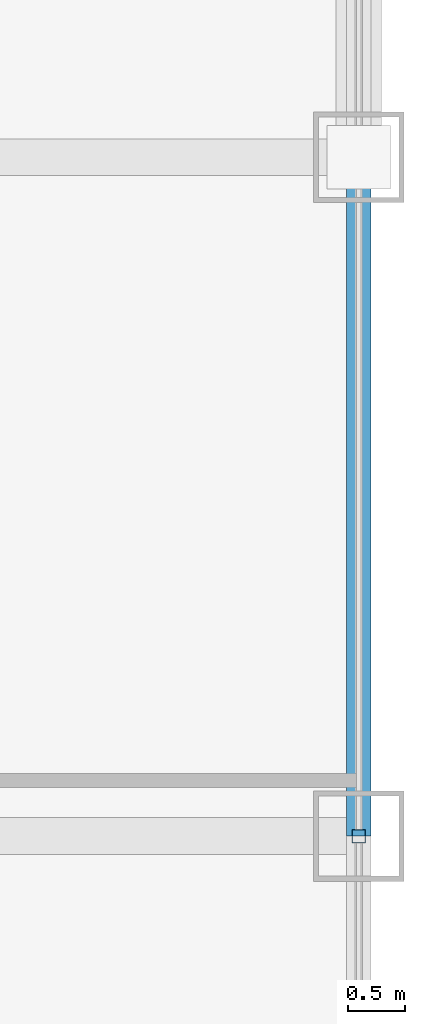
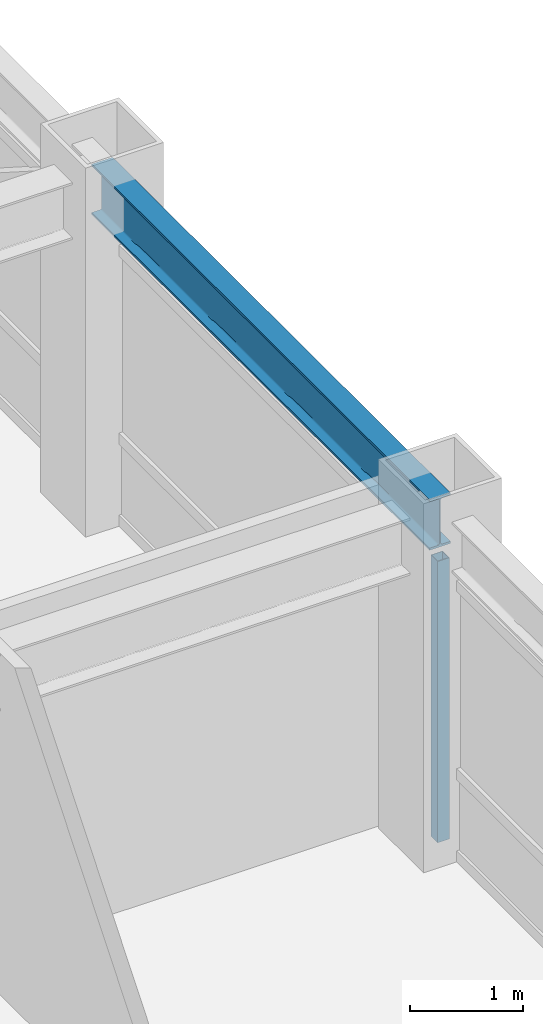
# One storey, part 12 of 32: 1 beam, 1 member, 1 element without a shape of its own.
"""IFC4 building model written with IfcOpenShell, lengths in metres."""

from ifc_helpers import new_model, si_unit, direction, frame, origin, origin_2d, place, context, subcontext, project, spatial, hollow_rectangle, i_section, extrude, source, transform, mapped, material, material_profile, profile_set, type_object, element, aggregate, save


model = new_model("IFC4")

# Units and contexts
model_context = context("Model", 3, precision=1e-05, world=origin(), true_north=direction((0.0, 1.0)))
body_context = subcontext(model_context, "Body", "Model", "MODEL_VIEW")
ifc_project = project(units=[si_unit("LENGTHUNIT", "METRE"), si_unit("AREAUNIT", "SQUARE_METRE"), si_unit("VOLUMEUNIT", "CUBIC_METRE"), si_unit("PLANEANGLEUNIT", "RADIAN"), si_unit("MASSUNIT", "GRAM", prefix="KILO")], contexts=[model_context])

# Site, building, storey
site_placement = place(None, origin())
site = spatial("IfcSite", under=ifc_project, at=site_placement, CompositionType="ELEMENT")
building_placement = place(site_placement, origin())
building = spatial("IfcBuilding", under=site, at=building_placement, Name="Khorayat Bourse Tower", CompositionType="ELEMENT")
storey_placement = place(building_placement, frame((0.0, 0.0, 342.300048828125)))
storey = spatial("IfcBuildingStorey", under=building, at=storey_placement, Name="L81", CompositionType="ELEMENT", Elevation=342.300048828125)

# Beam
ifc_material_1 = material(Name="Steel ASTM A992 Grade 50", Category="steel")
ifc_material_profile_1 = material_profile(ifc_material_1, i_section(OverallWidth=0.214111328125, OverallDepth=0.549072265625, WebThickness=0.0146484375, FlangeThickness=0.023681640625, FilletRadius=0.013916015625, at=origin_2d()), Name="W530X138")
ifc_profile_set_1 = profile_set([ifc_material_profile_1], Name="Steel ASTM A992 Grade 50")
beam_type = type_object("IfcBeamType", Name="BM-SPAN-530", PredefinedType="SPANDREL", material=ifc_profile_set_1)
shared_shape_1 = source(origin(), body_context, "Body", "SweptSolid", [
    extrude(i_section(OverallWidth=0.214111328125, OverallDepth=0.549072265625, WebThickness=0.0146484375, FlangeThickness=0.023681640625, FilletRadius=0.013916015625, at=origin_2d()), origin(), (0.0, 0.0, 1.0), 6.0),
])
beam_placement = place(storey_placement, frame((26.0, 0.0, 3.425537109375), z_axis=(0.0, 1.0, 0.0), x_axis=(-1.0, 0.0, 0.0)))
element("IfcBeam", 1, at=beam_placement, inside=storey, type_object=beam_type, Name="L81 BM-SPAN-530 BM-L81-SPN-032", PredefinedType="SPANDREL", context=body_context, shape_type="MappedRepresentation", body=[
    mapped(shared_shape_1, transform((0.0, 0.0, 0.0), scale=1.0)),
])

# Curtain wall, member
ifc_material_2 = material(Name="Aluminium EN AW-6063 T6", Category="aluminium")
curtain_wall_type = type_object("IfcCurtainWallType", Name="CW-SYS-04", PredefinedType="NOTDEFINED", material=ifc_material_2)
curtain_wall_placement = place(storey_placement, origin())
curtain_wall = element("IfcCurtainWall", 2, at=curtain_wall_placement, inside=storey, type_object=curtain_wall_type, Name="L81 Curtain Wall CW-L81-E1", PredefinedType="NOTDEFINED")
ifc_material_profile_2 = material_profile(ifc_material_2, hollow_rectangle(XDim=0.1201171875, YDim=0.1201171875, WallThickness=0.0048828125, at=origin_2d()), Name="ALU 120x120x5")
ifc_profile_set_2 = profile_set([ifc_material_profile_2], Name="Aluminium EN AW-6063 T6")
member_type = type_object("IfcMemberType", Name="CWM-VERT-120", PredefinedType="MULLION", material=ifc_profile_set_2)
shared_shape_2 = source(origin(), body_context, "Body", "SweptSolid", [
    extrude(hollow_rectangle(XDim=0.1201171875, YDim=0.1201171875, WallThickness=0.0048828125, at=origin_2d()), origin(), (0.0, 0.0, 1.0), 3.050048828125),
])
member_placement = place(storey_placement, frame((26.0, 0.0, 0.0), z_axis=(0.0, 0.0, 1.0), x_axis=(-1.0, 0.0, 0.0)))
member = element("IfcMember", 3, at=member_placement, type_object=member_type, Name="CW-L81-E1 Vertical Mullion 2", PredefinedType="MULLION", context=body_context, shape_type="MappedRepresentation", body=[
    mapped(shared_shape_2, transform((0.0, 0.0, 0.0), scale=1.0)),
])
aggregate(curtain_wall, [member])

save(model, "model.ifc")
